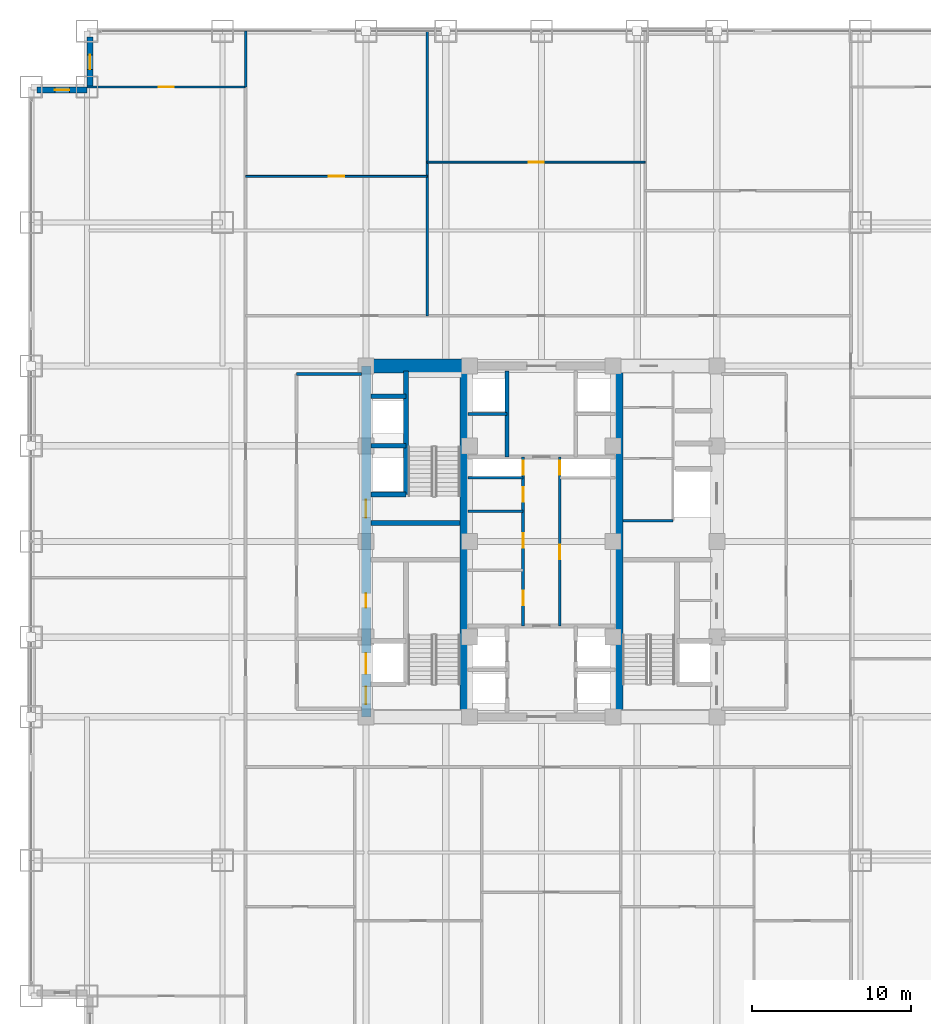
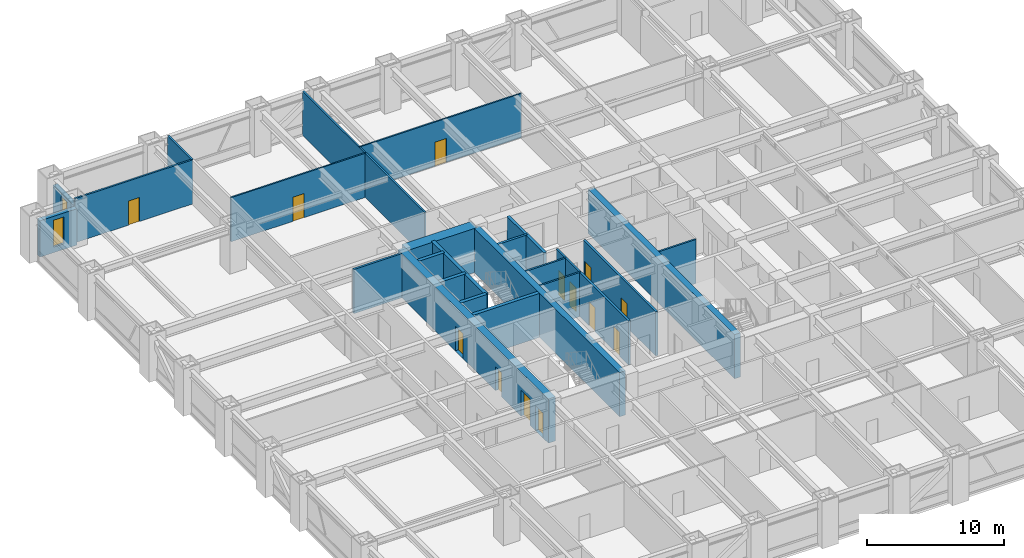
# One storey, part 25 of 28: 24 walls, 13 doors, 2 windows, 15 openings.
"""IFC4 building model written with IfcOpenShell, lengths in metres."""

from ifc_helpers import new_model, si_unit, direction, frame, frame_2d, origin, place, context, subcontext, project, spatial, rectangle, extrude, source, transform, mapped, material, layer, layer_set, type_object, element, fill, save


model = new_model("IFC4")

# Units and contexts
model_context = context("Model", 3, precision=1e-05, world=origin(), true_north=direction((0.0, 1.0)))
body_context = subcontext(model_context, "Body", "Model", "MODEL_VIEW")
ifc_project = project(units=[si_unit("LENGTHUNIT", "METRE"), si_unit("AREAUNIT", "SQUARE_METRE"), si_unit("VOLUMEUNIT", "CUBIC_METRE"), si_unit("PLANEANGLEUNIT", "RADIAN"), si_unit("MASSUNIT", "GRAM", prefix="KILO")], contexts=[model_context])

# Site, building, storey
site_placement = place(None, origin())
site = spatial("IfcSite", under=ifc_project, at=site_placement, CompositionType="ELEMENT")
building_placement = place(site_placement, origin())
building = spatial("IfcBuilding", under=site, at=building_placement, Name="Khorayat Bourse Tower", CompositionType="ELEMENT")
storey_placement = place(building_placement, frame((0.0, 0.0, 83.0)))
storey = spatial("IfcBuildingStorey", under=building, at=storey_placement, Name="L18", CompositionType="ELEMENT", Elevation=83.0)

# Wall, openings, doors
ifc_material_1 = material(Name="Concrete C60/75", Category="concrete")
ifc_layer_1 = layer(ifc_material_1, 0.60009765625)
ifc_layer_set_1 = layer_set([ifc_layer_1], Name="Concrete C60/75")
wall_type_1 = type_object("IfcWallType", Name="WAL-CORE-600", PredefinedType="SHEAR", material=ifc_layer_set_1)
shared_shape_1 = source(origin(), body_context, "Body", "SweptSolid", [
    extrude(rectangle(XDim=22.0, YDim=0.60009765625, at=frame_2d((11.0, 0.0))), origin(), (0.0, 0.0, 1.0), 3.93994140625),
])
wall_1_placement = place(storey_placement, frame((-11.0, -11.0, 0.0), z_axis=(0.0, 0.0, 1.0), x_axis=(0.0, 1.0, 0.0)))
wall_1 = element("IfcWall", 1, at=wall_1_placement, inside=storey, type_object=wall_type_1, Name="L18 Core Shear Wall CORE-W", PredefinedType="SHEAR", context=body_context, shape_type="MappedRepresentation", body=[
    mapped(shared_shape_1, transform((0.0, 0.0, 0.0), scale=1.0)),
])
shared_shape_2 = source(origin(), body_context, "Body", "SweptSolid", [
    extrude(rectangle(XDim=1.10009765625, YDim=2.199951171875, at=frame_2d((0.550048828125, 1.10009765625))), frame((0.0, 0.31005859375, 0.0), z_axis=(0.0, -1.0, 0.0), x_axis=(1.0, 0.0, 0.0)), (0.0, 0.0, 1.0), 0.6201171875),
])
opening_1_placement = place(wall_1_placement, frame((0.800048828125, 0.0, 0.0)))
opening_1 = element("IfcOpeningElement", 2, at=opening_1_placement, cuts=wall_1, Name="Opening DI-01", PredefinedType="OPENING", context=body_context, shape_type="MappedRepresentation", body=[
    mapped(shared_shape_2, transform((0.0, 0.0, 0.0), scale=1.0)),
])
opening_2_placement = place(wall_1_placement, frame((12.5, 0.0, 0.0)))
opening_2 = element("IfcOpeningElement", 3, at=opening_2_placement, cuts=wall_1, Name="Opening DI-01", PredefinedType="OPENING", context=body_context, shape_type="MappedRepresentation", body=[
    mapped(shared_shape_2, transform((0.0, 0.0, 0.0), scale=1.0)),
])
shared_shape_3 = source(origin(), body_context, "Body", "SweptSolid", [
    extrude(rectangle(XDim=0.89990234375, YDim=2.14990234375, at=frame_2d((0.449951171875, 1.074951171875))), frame((0.0, 0.31005859375, 0.0), z_axis=(0.0, -1.0, 0.0), x_axis=(1.0, 0.0, 0.0)), (0.0, 0.0, 1.0), 0.6201171875),
])
opening_3_placement = place(wall_1_placement, frame((6.85009765625, 0.0, 0.0)))
opening_3 = element("IfcOpeningElement", 4, at=opening_3_placement, cuts=wall_1, Name="Opening DI-06", PredefinedType="OPENING", context=body_context, shape_type="MappedRepresentation", body=[
    mapped(shared_shape_3, transform((0.0, 0.0, 0.0), scale=1.0)),
])
shared_shape_4 = source(origin(), body_context, "Body", "SweptSolid", [
    extrude(rectangle(XDim=1.300048828125, YDim=2.300048828125, at=frame_2d((0.64990234375, 1.14990234375))), frame((0.0, 0.31005859375, 0.0), z_axis=(0.0, -1.0, 0.0), x_axis=(1.0, 0.0, 0.0)), (0.0, 0.0, 1.0), 0.6201171875),
])
opening_4_placement = place(wall_1_placement, frame((2.699951171875, 0.0, 0.0)))
opening_4 = element("IfcOpeningElement", 5, at=opening_4_placement, cuts=wall_1, Name="Opening LD-02", PredefinedType="OPENING", context=body_context, shape_type="MappedRepresentation", body=[
    mapped(shared_shape_4, transform((0.0, 0.0, 0.0), scale=1.0)),
])
ifc_material_2 = material(Name="Fire-rated steel acoustic leaf", Category="steel")
door_type_1 = type_object("IfcDoorType", Name="DR-INT-STAIR-1100", OperationType="NOTDEFINED", PredefinedType="DOOR", material=ifc_material_2)
shared_shape_5 = source(origin(), body_context, "Body", "SweptSolid", [
    extrude(rectangle(XDim=1.10009765625, YDim=2.199951171875, at=frame_2d((0.550048828125, 1.10009765625))), frame((0.0, 0.02490234375, 0.0), z_axis=(0.0, -1.0, 0.0), x_axis=(1.0, 0.0, 0.0)), (0.0, 0.0, 1.0), 0.050048828125),
])
door_1_placement = place(opening_1_placement, origin())
door_1 = element("IfcDoor", 6, at=door_1_placement, inside=storey, type_object=door_type_1, Name="L18 Exit Stair 1 Door", OperationType="SINGLE_SWING_RIGHT", OverallHeight=2.199951171875, OverallWidth=1.10009765625, PredefinedType="DOOR", context=body_context, shape_type="MappedRepresentation", body=[
    mapped(shared_shape_5, transform((0.0, 0.0, 0.0), scale=1.0)),
])
fill(opening_1, door_1)
door_2_placement = place(opening_2_placement, origin())
door_2 = element("IfcDoor", 7, at=door_2_placement, inside=storey, type_object=door_type_1, Name="L18 Exit Stair 2 Door", OperationType="SINGLE_SWING_RIGHT", OverallHeight=2.199951171875, OverallWidth=1.10009765625, PredefinedType="DOOR", context=body_context, shape_type="MappedRepresentation", body=[
    mapped(shared_shape_5, transform((0.0, 0.0, 0.0), scale=1.0)),
])
fill(opening_2, door_2)
ifc_material_3 = material(Name="Moisture-resistant laminate washroom door")
door_type_2 = type_object("IfcDoorType", Name="DR-INT-WC-900", OperationType="NOTDEFINED", PredefinedType="DOOR", material=ifc_material_3)
shared_shape_6 = source(origin(), body_context, "Body", "SweptSolid", [
    extrude(rectangle(XDim=0.89990234375, YDim=2.14990234375, at=frame_2d((0.449951171875, 1.074951171875))), frame((0.0, 0.02490234375, 0.0), z_axis=(0.0, -1.0, 0.0), x_axis=(1.0, 0.0, 0.0)), (0.0, 0.0, 1.0), 0.050048828125),
])
door_3_placement = place(opening_3_placement, origin())
door_3 = element("IfcDoor", 8, at=door_3_placement, inside=storey, type_object=door_type_2, Name="L18 Electrical Switch Plant Room Door", OperationType="SINGLE_SWING_RIGHT", OverallHeight=2.14990234375, OverallWidth=0.89990234375, PredefinedType="DOOR", context=body_context, shape_type="MappedRepresentation", body=[
    mapped(shared_shape_6, transform((0.0, 0.0, 0.0), scale=1.0)),
])
fill(opening_3, door_3)
ifc_material_4 = material(Name="Fire-rated stainless-steel sliding landing door", Category="steel")
door_type_3 = type_object("IfcDoorType", Name="DR-LIFT-FF-1300", OperationType="NOTDEFINED", PredefinedType="DOOR", material=ifc_material_4)
shared_shape_7 = source(origin(), body_context, "Body", "SweptSolid", [
    extrude(rectangle(XDim=1.300048828125, YDim=2.300048828125, at=frame_2d((0.64990234375, 1.14990234375))), frame((0.0, 0.02490234375, 0.0), z_axis=(0.0, -1.0, 0.0), x_axis=(1.0, 0.0, 0.0)), (0.0, 0.0, 1.0), 0.050048828125),
])
door_4_placement = place(opening_4_placement, origin())
door_4 = element("IfcDoor", 9, at=door_4_placement, inside=storey, type_object=door_type_3, Name="L18 Lift FFL-01 Sliding Landing Door", OperationType="SLIDING_TO_LEFT", OverallHeight=2.300048828125, OverallWidth=1.300048828125, PredefinedType="DOOR", context=body_context, shape_type="MappedRepresentation", body=[
    mapped(shared_shape_7, transform((0.0, 0.0, 0.0), scale=1.0)),
])
fill(opening_4, door_4)

# Walls
ifc_material_5 = material(Name="Concrete C52/65", Category="concrete")
ifc_layer_2 = layer(ifc_material_5, 0.5)
ifc_layer_set_2 = layer_set([ifc_layer_2], Name="Concrete C52/65")
wall_type_2 = type_object("IfcWallType", Name="WAL-CORE-500", PredefinedType="SHEAR", material=ifc_layer_set_2)
shared_shape_8 = source(origin(), body_context, "Body", "SweptSolid", [
    extrude(rectangle(XDim=21.39990234375, YDim=0.5, at=frame_2d((10.699951171875, 0.0))), origin(), (0.0, 0.0, 1.0), 3.93994140625),
])
for number, where, z_axis, x_axis, name in (
    (10, (-4.85009765625, -10.699951171875, 0.0), (0.0, 0.0, 1.0), (0.0, 1.0, 0.0), "L18 Core Shear Wall PIER-W"),
    (11, (4.85009765625, -10.699951171875, 0.0), (0.0, 0.0, 1.0), (0.0, 1.0, 0.0), "L18 Core Shear Wall PIER-E"),
):
    element("IfcWall", number, at=place(storey_placement, frame(where, z_axis=z_axis, x_axis=x_axis)), inside=storey, type_object=wall_type_2, Name=name, PredefinedType="SHEAR", context=body_context, shape_type="MappedRepresentation", body=[
        mapped(shared_shape_8, transform((0.0, 0.0, 0.0), scale=1.0)),
    ])
ifc_material_6 = material(Name="Concrete C72/90", Category="concrete")
ifc_layer_3 = layer(ifc_material_6, 0.89990234375)
ifc_layer_set_3 = layer_set([ifc_layer_3], Name="Concrete C72/90")
wall_type_3 = type_object("IfcWallType", Name="WAL-CORE-900", PredefinedType="SHEAR", material=ifc_layer_set_3)
shared_shape_9 = source(origin(), body_context, "Body", "SweptSolid", [
    extrude(rectangle(XDim=5.849853515625, YDim=0.89990234375, at=frame_2d((2.9248046875, 0.0))), origin(), (0.0, 0.0, 1.0), 3.93994140625),
])
wall_2_placement = place(storey_placement, frame((-10.699951171875, 11.0, 0.0), z_axis=(0.0, 0.0, 1.0), x_axis=(1.0, 0.0, 0.0)))
element("IfcWall", 12, at=wall_2_placement, inside=storey, type_object=wall_type_3, Name="L18 Core Shear Wall PIER-WN", PredefinedType="SHEAR", context=body_context, shape_type="MappedRepresentation", body=[
    mapped(shared_shape_9, transform((0.0, 0.0, 0.0), scale=1.0)),
])
ifc_material_7 = material(Name="Concrete C50/60", Category="concrete")
ifc_layer_4 = layer(ifc_material_7, 0.300048828125)
ifc_layer_set_4 = layer_set([ifc_layer_4], Name="Concrete C50/60")
wall_type_4 = type_object("IfcWallType", Name="WAL-SHAFT-300", PredefinedType="SHEAR", material=ifc_layer_set_4)
shared_shape_10 = source(origin(), body_context, "Body", "SweptSolid", [
    extrude(rectangle(XDim=5.599853515625, YDim=0.300048828125, at=frame_2d((2.7998046875, 0.0))), origin(), (0.0, 0.0, 1.0), 3.93994140625),
])
wall_3_placement = place(storey_placement, frame((-10.699951171875, 1.14990234375, 0.0), z_axis=(0.0, 0.0, 1.0), x_axis=(1.0, 0.0, 0.0)))
element("IfcWall", 13, at=wall_3_placement, inside=storey, type_object=wall_type_4, Name="L18 Core Shear Wall ST2-DIV", PredefinedType="SHEAR", context=body_context, shape_type="MappedRepresentation", body=[
    mapped(shared_shape_10, transform((0.0, 0.0, 0.0), scale=1.0)),
])

# Wall, opening, window
ifc_material_8 = material(Name="Precast concrete C45/55", Category="concrete")
ifc_layer_5 = layer(ifc_material_8, 0.3798828125)
ifc_layer_set_5 = layer_set([ifc_layer_5], Name="Precast concrete C45/55")
wall_type_5 = type_object("IfcWallType", Name="WAL-EXT-STONE-380", PredefinedType="STANDARD", material=ifc_layer_set_5)
shared_shape_11 = source(origin(), body_context, "Body", "SweptSolid", [
    extrude(rectangle(XDim=3.1201171875, YDim=0.3798828125, at=frame_2d((1.56005859375, 0.0))), origin(), (0.0, 0.0, 1.0), 3.2451171875),
])
wall_4_placement = place(storey_placement, frame((-28.31005859375, 28.5, 0.0), z_axis=(0.0, 0.0, 1.0), x_axis=(0.0, 1.0, 0.0)))
wall_4 = element("IfcWall", 14, at=wall_4_placement, inside=storey, type_object=wall_type_5, Name="L18 Re-Entrant Notch Limestone Wall NW-V", PredefinedType="STANDARD", context=body_context, shape_type="MappedRepresentation", body=[
    mapped(shared_shape_11, transform((0.0, 0.0, 0.0), scale=1.0)),
])
shared_shape_12 = source(origin(), body_context, "Body", "SweptSolid", [
    extrude(rectangle(XDim=0.89990234375, YDim=2.39990234375, at=frame_2d((0.449951171875, 1.199951171875))), frame((0.0, 0.199951171875, 0.0), z_axis=(0.0, -1.0, 0.0), x_axis=(1.0, 0.0, 0.0)), (0.0, 0.0, 1.0), 0.39990234375),
])
opening_5_placement = place(wall_4_placement, frame((1.110107421875, 0.0, 0.5)))
opening_5 = element("IfcOpeningElement", 15, at=opening_5_placement, cuts=wall_4, Name="Opening WN-03", PredefinedType="OPENING", context=body_context, shape_type="MappedRepresentation", body=[
    mapped(shared_shape_12, transform((0.0, 0.0, 0.0), scale=1.0)),
])
ifc_material_9 = material(Name="Deep-reveal solar-control double glazing", Category="glass")
window_type = type_object("IfcWindowType", Name="WIN-SLOT-900x2400", PartitioningType="SINGLE_PANEL", PredefinedType="WINDOW", material=ifc_material_9)
shared_shape_13 = source(origin(), body_context, "Body", "SweptSolid", [
    extrude(rectangle(XDim=0.89990234375, YDim=2.39990234375, at=frame_2d((0.449951171875, 1.199951171875))), frame((0.0, 0.030029296875, 0.0), z_axis=(0.0, -1.0, 0.0), x_axis=(1.0, 0.0, 0.0)), (0.0, 0.0, 1.0), 0.06005859375),
])
window_1_placement = place(opening_5_placement, origin())
window_1 = element("IfcWindow", 16, at=window_1_placement, inside=storey, type_object=window_type, Name="L18 Facade Window 1", OverallHeight=2.39990234375, OverallWidth=0.89990234375, PartitioningType="SINGLE_PANEL", PredefinedType="WINDOW", context=body_context, shape_type="MappedRepresentation", body=[
    mapped(shared_shape_13, transform((0.0, 0.0, 0.0), scale=1.0)),
])
fill(opening_5, window_1)

wall_5_placement = place(storey_placement, frame((-28.5, 28.31005859375, 0.0), z_axis=(0.0, 0.0, 1.0), x_axis=(-1.0, 0.0, 0.0)))
wall_5 = element("IfcWall", 17, at=wall_5_placement, inside=storey, type_object=wall_type_5, Name="L18 Re-Entrant Notch Limestone Wall NW-H", PredefinedType="STANDARD", context=body_context, shape_type="MappedRepresentation", body=[
    mapped(shared_shape_11, transform((0.0, 0.0, 0.0), scale=1.0)),
])
opening_6_placement = place(wall_5_placement, frame((1.110107421875, 0.0, 0.5)))
opening_6 = element("IfcOpeningElement", 18, at=opening_6_placement, cuts=wall_5, Name="Opening WN-03", PredefinedType="OPENING", context=body_context, shape_type="MappedRepresentation", body=[
    mapped(shared_shape_12, transform((0.0, 0.0, 0.0), scale=1.0)),
])
window_2_placement = place(opening_6_placement, origin())
window_2 = element("IfcWindow", 19, at=window_2_placement, inside=storey, type_object=window_type, Name="L18 Facade Window 1", OverallHeight=2.39990234375, OverallWidth=0.89990234375, PartitioningType="SINGLE_PANEL", PredefinedType="WINDOW", context=body_context, shape_type="MappedRepresentation", body=[
    mapped(shared_shape_13, transform((0.0, 0.0, 0.0), scale=1.0)),
])
fill(opening_6, window_2)

# Walls
shared_shape_14 = source(origin(), body_context, "Body", "SweptSolid", [
    extrude(rectangle(XDim=2.199951171875, YDim=0.300048828125, at=frame_2d((1.10009765625, 0.0))), origin(), (0.0, 0.0, 1.0), 3.93994140625),
])
for number, where, z_axis, x_axis, name in (
    (20, (-10.699951171875, 2.949951171875, 0.0), (0.0, 0.0, 1.0), (1.0, 0.0, 0.0), "L18 Partition WAL-L18-WPIER-H1S"),
    (21, (-10.699951171875, 6.0, 0.0), (0.0, 0.0, 1.0), (1.0, 0.0, 0.0), "L18 Partition WAL-L18-WPIER-H12"),
    (22, (-10.699951171875, 9.10009765625, 0.0), (0.0, 0.0, 1.0), (1.0, 0.0, 0.0), "L18 Partition WAL-L18-WPIER-H2N"),
):
    element("IfcWall", number, at=place(storey_placement, frame(where, z_axis=z_axis, x_axis=x_axis)), inside=storey, type_object=wall_type_4, Name=name, PredefinedType="SHEAR", context=body_context, shape_type="MappedRepresentation", body=[
        mapped(shared_shape_14, transform((0.0, 0.0, 0.0), scale=1.0)),
    ])
shared_shape_15 = source(origin(), body_context, "Body", "SweptSolid", [
    extrude(rectangle(XDim=7.75, YDim=0.300048828125, at=frame_2d((3.875, 0.0))), origin(), (0.0, 0.0, 1.0), 3.93994140625),
])
wall_6_placement = place(storey_placement, frame((-8.5, 2.949951171875, 0.0), z_axis=(0.0, 0.0, 1.0), x_axis=(0.0, 1.0, 0.0)))
element("IfcWall", 23, at=wall_6_placement, inside=storey, type_object=wall_type_4, Name="L18 Partition WAL-L18-WPIER-ST2S", PredefinedType="SHEAR", context=body_context, shape_type="MappedRepresentation", body=[
    mapped(shared_shape_15, transform((0.0, 0.0, 0.0), scale=1.0)),
])
ifc_material_10 = material(Name="Moisture-resistant masonry partition", Category="masonry")
ifc_layer_6 = layer(ifc_material_10, 0.139892578125)
ifc_layer_set_6 = layer_set([ifc_layer_6], Name="Moisture-resistant masonry partition")
wall_type_6 = type_object("IfcWallType", Name="WAL-PART-WET-140", PredefinedType="PARTITIONING", material=ifc_layer_set_6)
shared_shape_16 = source(origin(), body_context, "Body", "SweptSolid", [
    extrude(rectangle(XDim=3.14990234375, YDim=0.139892578125, at=frame_2d((1.574951171875, 0.0))), origin(), (0.0, 0.0, 1.0), 3.93994140625),
])
wall_7_placement = place(storey_placement, frame((5.10009765625, 1.300048828125, 0.0), z_axis=(0.0, 0.0, 1.0), x_axis=(1.0, 0.0, 0.0)))
element("IfcWall", 24, at=wall_7_placement, inside=storey, type_object=wall_type_6, Name="L18 Partition WAL-L18-ECORE-S", PredefinedType="PARTITIONING", context=body_context, shape_type="MappedRepresentation", body=[
    mapped(shared_shape_16, transform((0.0, 0.0, 0.0), scale=1.0)),
])
ifc_material_11 = material(Name="Gypsum plasterboard acoustic stud wall")
ifc_layer_7 = layer(ifc_material_11, 0.179931640625)
ifc_layer_set_7 = layer_set([ifc_layer_7], Name="Gypsum plasterboard acoustic stud wall")
wall_type_7 = type_object("IfcWallType", Name="WAL-PART-CORR-180", PredefinedType="PARTITIONING", material=ifc_layer_set_7)
shared_shape_17 = source(origin(), body_context, "Body", "SweptSolid", [
    extrude(rectangle(XDim=4.050048828125, YDim=0.179931640625, at=frame_2d((2.02490234375, 0.0))), origin(), (0.0, 0.0, 1.0), 3.93994140625),
])
wall_8_placement = place(storey_placement, frame((-15.35009765625, 10.5, 0.0), z_axis=(0.0, 0.0, 1.0), x_axis=(1.0, 0.0, 0.0)))
element("IfcWall", 25, at=wall_8_placement, inside=storey, type_object=wall_type_7, Name="L18 Partition WAL-L18-WLOB-N", PredefinedType="PARTITIONING", context=body_context, shape_type="MappedRepresentation", body=[
    mapped(shared_shape_17, transform((0.0, 0.0, 0.0), scale=1.0)),
])
ifc_material_12 = material(Name="Gypsum plasterboard twin-frame partition")
ifc_layer_8 = layer(ifc_material_12, 0.14990234375)
ifc_layer_set_8 = layer_set([ifc_layer_8], Name="Gypsum plasterboard twin-frame partition")
wall_type_8 = type_object("IfcWallType", Name="WAL-PART-SUITE-150", PredefinedType="PARTITIONING", material=ifc_layer_set_8)
shared_shape_18 = source(origin(), body_context, "Body", "SweptSolid", [
    extrude(rectangle(XDim=3.4501953125, YDim=0.14990234375, at=frame_2d((1.72509765625, 0.0))), origin(), (0.0, 0.0, 1.0), 3.93994140625),
])
wall_9_placement = place(storey_placement, frame((-4.60009765625, 4.0, 0.0), z_axis=(0.0, 0.0, 1.0), x_axis=(1.0, 0.0, 0.0)))
element("IfcWall", 26, at=wall_9_placement, inside=storey, type_object=wall_type_8, Name="L18 Partition WAL-L18-CRSW-S", PredefinedType="PARTITIONING", context=body_context, shape_type="MappedRepresentation", body=[
    mapped(shared_shape_18, transform((0.0, 0.0, 0.0), scale=1.0)),
])
shared_shape_19 = source(origin(), body_context, "Body", "SweptSolid", [
    extrude(rectangle(XDim=5.39990234375, YDim=0.25, at=frame_2d((2.699951171875, 0.0))), origin(), (0.0, 0.0, 1.0), 3.93994140625),
])
wall_10_placement = place(storey_placement, frame((-2.14990234375, 5.300048828125, 0.0), z_axis=(0.0, 0.0, 1.0), x_axis=(0.0, 1.0, 0.0)))
element("IfcWall", 27, at=wall_10_placement, inside=storey, type_object=wall_type_4, Name="L18 Partition WAL-L18-B2-W", PredefinedType="SHEAR", context=body_context, shape_type="MappedRepresentation", body=[
    mapped(shared_shape_19, transform((0.0, 0.0, 0.0), scale=1.0)),
])
shared_shape_20 = source(origin(), body_context, "Body", "SweptSolid", [
    extrude(rectangle(XDim=2.4501953125, YDim=0.199951171875, at=frame_2d((1.22509765625, 0.0))), origin(), (0.0, 0.0, 1.0), 3.93994140625),
])
wall_11_placement = place(storey_placement, frame((-4.60009765625, 8.0, 0.0), z_axis=(0.0, 0.0, 1.0), x_axis=(1.0, 0.0, 0.0)))
element("IfcWall", 28, at=wall_11_placement, inside=storey, type_object=wall_type_4, Name="L18 Partition WAL-L18-B2-MW", PredefinedType="SHEAR", context=body_context, shape_type="MappedRepresentation", body=[
    mapped(shared_shape_20, transform((0.0, 0.0, 0.0), scale=1.0)),
])
shared_shape_21 = source(origin(), body_context, "Body", "SweptSolid", [
    extrude(rectangle(XDim=3.4501953125, YDim=0.139892578125, at=frame_2d((1.72509765625, 0.0))), origin(), (0.0, 0.0, 1.0), 3.93994140625),
])
wall_12_placement = place(storey_placement, frame((-4.60009765625, 1.89990234375, 0.0), z_axis=(0.0, 0.0, 1.0), x_axis=(1.0, 0.0, 0.0)))
element("IfcWall", 29, at=wall_12_placement, inside=storey, type_object=wall_type_6, Name="L18 Partition WAL-L18-CMW-D2", PredefinedType="PARTITIONING", context=body_context, shape_type="MappedRepresentation", body=[
    mapped(shared_shape_21, transform((0.0, 0.0, 0.0), scale=1.0)),
])

# Wall, openings, doors
shared_shape_22 = source(origin(), body_context, "Body", "SweptSolid", [
    extrude(rectangle(XDim=10.60009765625, YDim=0.179931640625, at=frame_2d((5.300048828125, 0.0))), origin(), (0.0, 0.0, 1.0), 3.93994140625),
])
wall_13_placement = place(storey_placement, frame((-1.14990234375, -5.300048828125, 0.0), z_axis=(0.0, 0.0, 1.0), x_axis=(0.0, 1.0, 0.0)))
wall_13 = element("IfcWall", 30, at=wall_13_placement, inside=storey, type_object=wall_type_7, Name="L18 Partition WAL-L18-CMW-L", PredefinedType="PARTITIONING", context=body_context, shape_type="MappedRepresentation", body=[
    mapped(shared_shape_22, transform((0.0, 0.0, 0.0), scale=1.0)),
])
shared_shape_23 = source(origin(), body_context, "Body", "SweptSolid", [
    extrude(rectangle(XDim=0.89990234375, YDim=2.14990234375, at=frame_2d((0.449951171875, 1.074951171875))), frame((0.0, 0.099853515625, 0.0), z_axis=(0.0, -1.0, 0.0), x_axis=(1.0, 0.0, 0.0)), (0.0, 0.0, 1.0), 0.199951171875),
])
opening_7_placement = place(wall_13_placement, frame((1.300048828125, 0.0, 0.0)))
opening_7 = element("IfcOpeningElement", 31, at=opening_7_placement, cuts=wall_13, Name="Opening DI-06", PredefinedType="OPENING", context=body_context, shape_type="MappedRepresentation", body=[
    mapped(shared_shape_23, transform((0.0, 0.0, 0.0), scale=1.0)),
])
opening_8_placement = place(wall_13_placement, frame((4.89990234375, 0.0, 0.0)))
opening_8 = element("IfcOpeningElement", 32, at=opening_8_placement, cuts=wall_13, Name="Opening DI-06", PredefinedType="OPENING", context=body_context, shape_type="MappedRepresentation", body=[
    mapped(shared_shape_23, transform((0.0, 0.0, 0.0), scale=1.0)),
])
opening_9_placement = place(wall_13_placement, frame((7.800048828125, 0.0, 0.0)))
opening_9 = element("IfcOpeningElement", 33, at=opening_9_placement, cuts=wall_13, Name="Opening DI-06", PredefinedType="OPENING", context=body_context, shape_type="MappedRepresentation", body=[
    mapped(shared_shape_23, transform((0.0, 0.0, 0.0), scale=1.0)),
])
opening_10_placement = place(wall_13_placement, frame((9.47509765625, 0.0, 0.0)))
opening_10 = element("IfcOpeningElement", 34, at=opening_10_placement, cuts=wall_13, Name="Opening DI-06", PredefinedType="OPENING", context=body_context, shape_type="MappedRepresentation", body=[
    mapped(shared_shape_23, transform((0.0, 0.0, 0.0), scale=1.0)),
])
door_5_placement = place(opening_7_placement, origin())
door_5 = element("IfcDoor", 35, at=door_5_placement, inside=storey, type_object=door_type_2, Name="L18 Male Core Washroom Door", OperationType="SINGLE_SWING_RIGHT", OverallHeight=2.14990234375, OverallWidth=0.89990234375, PredefinedType="DOOR", context=body_context, shape_type="MappedRepresentation", body=[
    mapped(shared_shape_6, transform((0.0, 0.0, 0.0), scale=1.0)),
])
fill(opening_7, door_5)
door_6_placement = place(opening_8_placement, origin())
door_6 = element("IfcDoor", 36, at=door_6_placement, inside=storey, type_object=door_type_2, Name="L18 AHU Fan Plant Room Door", OperationType="SINGLE_SWING_LEFT", OverallHeight=2.14990234375, OverallWidth=0.89990234375, PredefinedType="DOOR", context=body_context, shape_type="MappedRepresentation", body=[
    mapped(shared_shape_6, transform((0.0, 0.0, 0.0), scale=1.0)),
])
fill(opening_8, door_6)
door_7_placement = place(opening_9_placement, origin())
door_7 = element("IfcDoor", 37, at=door_7_placement, inside=storey, type_object=door_type_2, Name="L18 Janitor Store Door", OperationType="SINGLE_SWING_RIGHT", OverallHeight=2.14990234375, OverallWidth=0.89990234375, PredefinedType="DOOR", context=body_context, shape_type="MappedRepresentation", body=[
    mapped(shared_shape_6, transform((0.0, 0.0, 0.0), scale=1.0)),
])
fill(opening_9, door_7)
door_8_placement = place(opening_10_placement, origin())
door_8 = element("IfcDoor", 38, at=door_8_placement, inside=storey, type_object=door_type_2, Name="L18 West Core Riser Door", OperationType="SINGLE_SWING_LEFT", OverallHeight=2.14990234375, OverallWidth=0.89990234375, PredefinedType="DOOR", context=body_context, shape_type="MappedRepresentation", body=[
    mapped(shared_shape_6, transform((0.0, 0.0, 0.0), scale=1.0)),
])
fill(opening_10, door_8)

wall_14_placement = place(storey_placement, frame((1.14990234375, -5.300048828125, 0.0), z_axis=(0.0, 0.0, 1.0), x_axis=(0.0, 1.0, 0.0)))
wall_14 = element("IfcWall", 39, at=wall_14_placement, inside=storey, type_object=wall_type_7, Name="L18 Partition WAL-L18-CME-L", PredefinedType="PARTITIONING", context=body_context, shape_type="MappedRepresentation", body=[
    mapped(shared_shape_22, transform((0.0, 0.0, 0.0), scale=1.0)),
])
opening_11_placement = place(wall_14_placement, frame((4.199951171875, 0.0, 0.0)))
opening_11 = element("IfcOpeningElement", 40, at=opening_11_placement, cuts=wall_14, Name="Opening DI-06", PredefinedType="OPENING", context=body_context, shape_type="MappedRepresentation", body=[
    mapped(shared_shape_23, transform((0.0, 0.0, 0.0), scale=1.0)),
])
opening_12_placement = place(wall_14_placement, frame((9.47509765625, 0.0, 0.0)))
opening_12 = element("IfcOpeningElement", 41, at=opening_12_placement, cuts=wall_14, Name="Opening DI-06", PredefinedType="OPENING", context=body_context, shape_type="MappedRepresentation", body=[
    mapped(shared_shape_23, transform((0.0, 0.0, 0.0), scale=1.0)),
])
door_9_placement = place(opening_11_placement, origin())
door_9 = element("IfcDoor", 42, at=door_9_placement, inside=storey, type_object=door_type_2, Name="L18 Female Core Washroom Door", OperationType="SINGLE_SWING_RIGHT", OverallHeight=2.14990234375, OverallWidth=0.89990234375, PredefinedType="DOOR", context=body_context, shape_type="MappedRepresentation", body=[
    mapped(shared_shape_6, transform((0.0, 0.0, 0.0), scale=1.0)),
])
fill(opening_11, door_9)
door_10_placement = place(opening_12_placement, origin())
door_10 = element("IfcDoor", 43, at=door_10_placement, inside=storey, type_object=door_type_2, Name="L18 East Core Riser Door", OperationType="SINGLE_SWING_RIGHT", OverallHeight=2.14990234375, OverallWidth=0.89990234375, PredefinedType="DOOR", context=body_context, shape_type="MappedRepresentation", body=[
    mapped(shared_shape_6, transform((0.0, 0.0, 0.0), scale=1.0)),
])
fill(opening_12, door_10)

# Wall
shared_shape_24 = source(origin(), body_context, "Body", "SweptSolid", [
    extrude(rectangle(XDim=3.5, YDim=0.14990234375, at=frame_2d((1.75, 0.0))), origin(), (0.0, 0.0, 1.0), 3.93994140625),
])
wall_15_placement = place(storey_placement, frame((-18.550048828125, 28.5, 0.0), z_axis=(0.0, 0.0, 1.0), x_axis=(0.0, 1.0, 0.0)))
element("IfcWall", 44, at=wall_15_placement, inside=storey, type_object=wall_type_8, Name="L18 Partition WAL-L18-NCW-END", PredefinedType="PARTITIONING", context=body_context, shape_type="MappedRepresentation", body=[
    mapped(shared_shape_24, transform((0.0, 0.0, 0.0), scale=1.0)),
])

# Wall, opening, door
shared_shape_25 = source(origin(), body_context, "Body", "SweptSolid", [
    extrude(rectangle(XDim=9.949951171875, YDim=0.14990234375, at=frame_2d((4.97509765625, 0.0))), origin(), (0.0, 0.0, 1.0), 3.93994140625),
])
wall_16_placement = place(storey_placement, frame((-28.5, 28.5, 0.0), z_axis=(0.0, 0.0, 1.0), x_axis=(1.0, 0.0, 0.0)))
wall_16 = element("IfcWall", 45, at=wall_16_placement, inside=storey, type_object=wall_type_8, Name="L18 Partition WAL-L18-CNW", PredefinedType="PARTITIONING", context=body_context, shape_type="MappedRepresentation", body=[
    mapped(shared_shape_25, transform((0.0, 0.0, 0.0), scale=1.0)),
])
shared_shape_26 = source(origin(), body_context, "Body", "SweptSolid", [
    extrude(rectangle(XDim=0.949951171875, YDim=2.14990234375, at=frame_2d((0.47509765625, 1.074951171875))), frame((0.0, 0.0849609375, 0.0), z_axis=(0.0, -1.0, 0.0), x_axis=(1.0, 0.0, 0.0)), (0.0, 0.0, 1.0), 0.169921875),
])
opening_13_placement = place(wall_16_placement, frame((4.5, 0.0, 0.0)))
opening_13 = element("IfcOpeningElement", 46, at=opening_13_placement, cuts=wall_16, Name="Opening DI-05", PredefinedType="OPENING", context=body_context, shape_type="MappedRepresentation", body=[
    mapped(shared_shape_26, transform((0.0, 0.0, 0.0), scale=1.0)),
])
ifc_material_13 = material(Name="Acoustic oak veneer office door")
door_type_4 = type_object("IfcDoorType", Name="DR-INT-OFFICE-950", OperationType="NOTDEFINED", PredefinedType="DOOR", material=ifc_material_13)
shared_shape_27 = source(origin(), body_context, "Body", "SweptSolid", [
    extrude(rectangle(XDim=0.949951171875, YDim=2.14990234375, at=frame_2d((0.47509765625, 1.074951171875))), frame((0.0, 0.02490234375, 0.0), z_axis=(0.0, -1.0, 0.0), x_axis=(1.0, 0.0, 0.0)), (0.0, 0.0, 1.0), 0.050048828125),
])
door_11_placement = place(opening_13_placement, origin())
door_11 = element("IfcDoor", 47, at=door_11_placement, inside=storey, type_object=door_type_4, Name="L18 North-West Corner Meeting Room Door", OperationType="SINGLE_SWING_LEFT", OverallHeight=2.14990234375, OverallWidth=0.949951171875, PredefinedType="DOOR", context=body_context, shape_type="MappedRepresentation", body=[
    mapped(shared_shape_27, transform((0.0, 0.0, 0.0), scale=1.0)),
])
fill(opening_13, door_11)

# Wall
shared_shape_28 = source(origin(), body_context, "Body", "SweptSolid", [
    extrude(rectangle(XDim=17.85009765625, YDim=0.14990234375, at=frame_2d((8.925048828125, 0.0))), origin(), (0.0, 0.0, 1.0), 3.93994140625),
])
wall_17_placement = place(storey_placement, frame((-7.1650390625, 14.14990234375, 0.0), z_axis=(0.0, 0.0, 1.0), x_axis=(0.0, 1.0, 0.0)))
element("IfcWall", 48, at=wall_17_placement, inside=storey, type_object=wall_type_8, Name="L18 Partition WAL-L18-NDV-1", PredefinedType="PARTITIONING", context=body_context, shape_type="MappedRepresentation", body=[
    mapped(shared_shape_28, transform((0.0, 0.0, 0.0), scale=1.0)),
])

# Wall, opening, door
ifc_material_14 = material(Name="Gypsum plasterboard partition")
ifc_layer_9 = layer(ifc_material_14, 0.125)
ifc_layer_set_9 = layer_set([ifc_layer_9], Name="Gypsum plasterboard partition")
wall_type_9 = type_object("IfcWallType", Name="WAL-PART-ROOM-125", PredefinedType="PARTITIONING", material=ifc_layer_set_9)
shared_shape_29 = source(origin(), body_context, "Body", "SweptSolid", [
    extrude(rectangle(XDim=11.385009765625, YDim=0.125, at=frame_2d((5.6923828125, 0.0))), origin(), (0.0, 0.0, 1.0), 3.93994140625),
])
wall_18_placement = place(storey_placement, frame((-18.550048828125, 22.896484375, 0.0), z_axis=(0.0, 0.0, 1.0), x_axis=(1.0, 0.0, 0.0)))
wall_18 = element("IfcWall", 49, at=wall_18_placement, inside=storey, type_object=wall_type_9, Name="L18 Partition WAL-L18-NDP-1", PredefinedType="PARTITIONING", context=body_context, shape_type="MappedRepresentation", body=[
    mapped(shared_shape_29, transform((0.0, 0.0, 0.0), scale=1.0)),
])
shared_shape_30 = source(origin(), body_context, "Body", "SweptSolid", [
    extrude(rectangle(XDim=0.949951171875, YDim=2.14990234375, at=frame_2d((0.47509765625, 1.074951171875))), frame((0.0, 0.072509765625, 0.0), z_axis=(0.0, -1.0, 0.0), x_axis=(1.0, 0.0, 0.0)), (0.0, 0.0, 1.0), 0.14501953125),
])
opening_14_placement = place(wall_18_placement, frame((5.217529296875, 0.0, 0.0)))
opening_14 = element("IfcOpeningElement", 50, at=opening_14_placement, cuts=wall_18, Name="Opening DI-05", PredefinedType="OPENING", context=body_context, shape_type="MappedRepresentation", body=[
    mapped(shared_shape_30, transform((0.0, 0.0, 0.0), scale=1.0)),
])
door_12_placement = place(opening_14_placement, origin())
door_12 = element("IfcDoor", 51, at=door_12_placement, inside=storey, type_object=door_type_4, Name="L18 Clearing Records Archive Store N1B Door", OperationType="SINGLE_SWING_RIGHT", OverallHeight=2.14990234375, OverallWidth=0.949951171875, PredefinedType="DOOR", context=body_context, shape_type="MappedRepresentation", body=[
    mapped(shared_shape_27, transform((0.0, 0.0, 0.0), scale=1.0)),
])
fill(opening_14, door_12)

shared_shape_31 = source(origin(), body_context, "Body", "SweptSolid", [
    extrude(rectangle(XDim=13.662109375, YDim=0.125, at=frame_2d((6.8310546875, 0.0))), origin(), (0.0, 0.0, 1.0), 3.93994140625),
])
wall_19_placement = place(storey_placement, frame((-7.1650390625, 23.7890625, 0.0), z_axis=(0.0, 0.0, 1.0), x_axis=(1.0, 0.0, 0.0)))
wall_19 = element("IfcWall", 52, at=wall_19_placement, inside=storey, type_object=wall_type_9, Name="L18 Partition WAL-L18-NDP-2", PredefinedType="PARTITIONING", context=body_context, shape_type="MappedRepresentation", body=[
    mapped(shared_shape_31, transform((0.0, 0.0, 0.0), scale=1.0)),
])
opening_15_placement = place(wall_19_placement, frame((6.35595703125, 0.0, 0.0)))
opening_15 = element("IfcOpeningElement", 53, at=opening_15_placement, cuts=wall_19, Name="Opening DI-05", PredefinedType="OPENING", context=body_context, shape_type="MappedRepresentation", body=[
    mapped(shared_shape_30, transform((0.0, 0.0, 0.0), scale=1.0)),
])
door_13_placement = place(opening_15_placement, origin())
door_13 = element("IfcDoor", 54, at=door_13_placement, inside=storey, type_object=door_type_4, Name="L18 Members Exchange Lounge N2B Door", OperationType="SINGLE_SWING_LEFT", OverallHeight=2.14990234375, OverallWidth=0.949951171875, PredefinedType="DOOR", context=body_context, shape_type="MappedRepresentation", body=[
    mapped(shared_shape_27, transform((0.0, 0.0, 0.0), scale=1.0)),
])
fill(opening_15, door_13)

save(model, "model.ifc")
